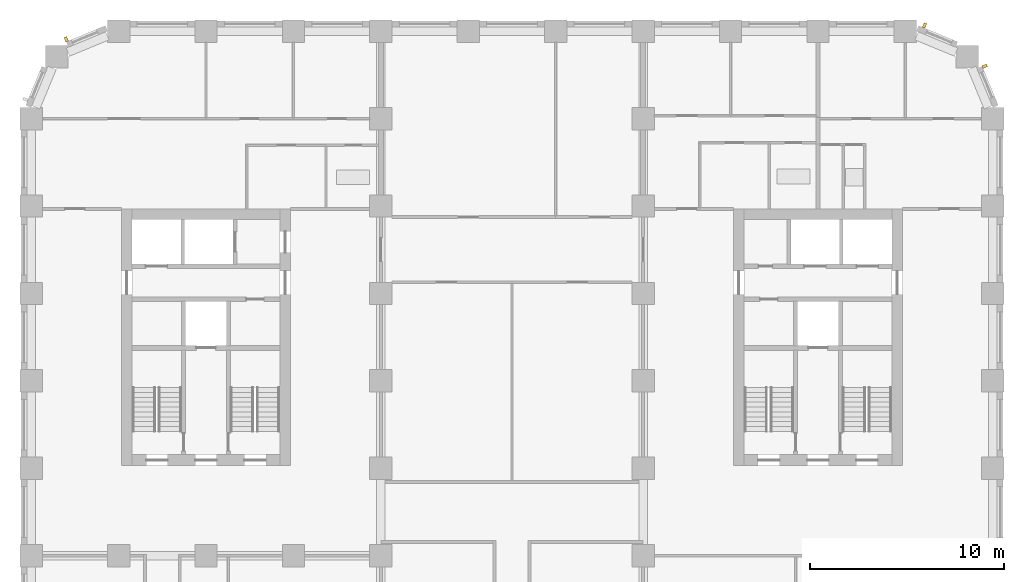
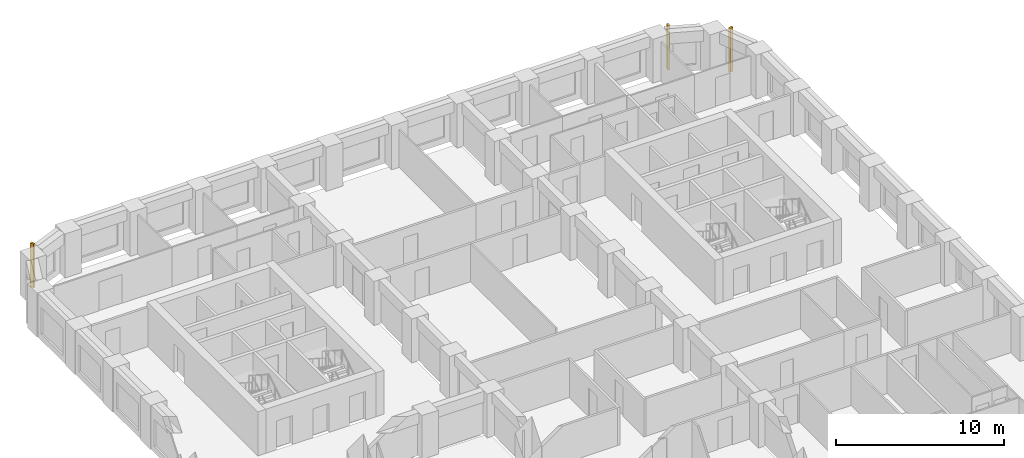
# One storey, part 11 of 12: 3 shading devices.
"""IFC4 building model written with IfcOpenShell, lengths in metres."""

from ifc_helpers import new_model, si_unit, direction, frame, origin, origin_2d, place, context, subcontext, project, spatial, rectangle, extrude, material, type_object, element, save


model = new_model("IFC4")

# Units and contexts
model_context = context("Model", 3, precision=1e-05, world=origin(), true_north=direction((0.0, 1.0)))
body_context = subcontext(model_context, "Body", "Model", "MODEL_VIEW")
ifc_project = project(units=[si_unit("LENGTHUNIT", "METRE"), si_unit("AREAUNIT", "SQUARE_METRE"), si_unit("VOLUMEUNIT", "CUBIC_METRE"), si_unit("PLANEANGLEUNIT", "RADIAN"), si_unit("MASSUNIT", "GRAM", prefix="KILO")], contexts=[model_context])

# Site, building, storey
site_placement = place(None, origin())
site = spatial("IfcSite", under=ifc_project, at=site_placement, CompositionType="ELEMENT")
building_placement = place(site_placement, origin())
building = spatial("IfcBuilding", under=site, at=building_placement, Name="Girih Gate Residences", CompositionType="ELEMENT")
storey_placement = place(building_placement, frame((0.0, 0.0, 121.60009765625)))
storey = spatial("IfcBuildingStorey", under=building, at=storey_placement, Name="L34", CompositionType="ELEMENT", Elevation=121.60009765625)

# Shading devices
ifc_material = material(Name="Precast concrete C50/60", Category="concrete")
shading_device_type = type_object("IfcShadingDeviceType", Name="Corner rib 150x250", PredefinedType="USERDEFINED", material=ifc_material)
for number, where, z_axis, x_axis, name in (
    (1, (49.087646484375, 47.6943359375, 0.0), (0.0, 0.0, 1.0), (-0.382683432365, 0.923879532511, 0.0), "Corner rib NE0495_0450.0"),
    (2, (45.985107421875, 49.79541015625, 0.0), (0.0, 0.0, 1.0), (-0.923879532511, 0.382683432365, 0.0), "Corner rib NE0482_0482.0"),
    (3, (1.8056640625, 49.087646484375, 0.0), (0.0, 0.0, 1.0), (-0.923879532511, -0.382683432365, 0.0), "Corner rib NW0045_0495.0"),
):
    element("IfcShadingDevice", number, at=place(storey_placement, frame(where, z_axis=z_axis, x_axis=x_axis)), inside=storey, type_object=shading_device_type, Name=name, ObjectType="FIN", PredefinedType="USERDEFINED", context=body_context, shape_type="SweptSolid", body=[
        extrude(rectangle(XDim=0.14990234375, YDim=0.25, at=origin_2d()), origin(), (0.0, 0.0, 1.0), 3.199951171875),
    ])

save(model, "model.ifc")
